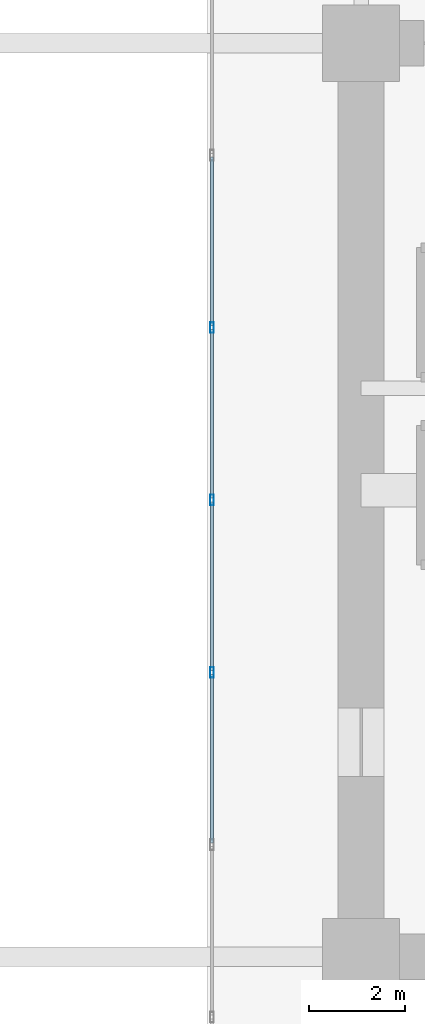
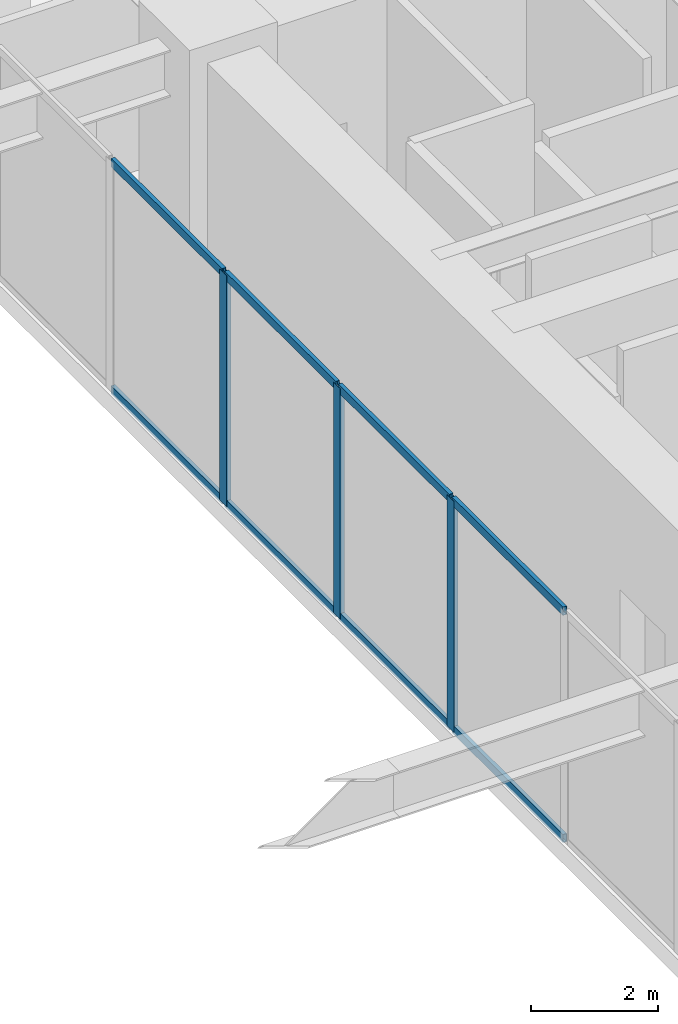
# One storey, part 13 of 39: 11 members, 1 element without a shape of its own.
"""IFC4 building model written with IfcOpenShell, lengths in metres."""

from ifc_helpers import new_model, si_unit, direction, frame, origin, origin_2d, place, context, subcontext, project, spatial, hollow_rectangle, extrude, source, transform, mapped, material, layer, layer_set, material_profile, profile_set, type_object, type_shapes, element, aggregate, save


model = new_model("IFC4")

# Units and contexts
model_context = context("Model", 3, precision=1e-05, world=origin(), true_north=direction((0.0, 1.0)))
body_context = subcontext(model_context, "Body", "Model", "MODEL_VIEW")
ifc_project = project(units=[si_unit("LENGTHUNIT", "METRE"), si_unit("AREAUNIT", "SQUARE_METRE"), si_unit("VOLUMEUNIT", "CUBIC_METRE"), si_unit("PLANEANGLEUNIT", "RADIAN"), si_unit("MASSUNIT", "GRAM", prefix="KILO")], contexts=[model_context])

# Site, building, storey
site_placement = place(None, origin())
site = spatial("IfcSite", under=ifc_project, at=site_placement, CompositionType="ELEMENT")
building_placement = place(site_placement, origin())
building = spatial("IfcBuilding", under=site, at=building_placement, Name="Haelvirn Gate Laboratories", CompositionType="ELEMENT")
storey_placement = place(building_placement, frame((0.0, 0.0, 15.0)))
storey = spatial("IfcBuildingStorey", under=building, at=storey_placement, Name="L04", CompositionType="ELEMENT", Elevation=15.0)

# Curtain wall, members
ifc_material_1 = material(Name="Anodised bronze unitised aluminium & triple low-E glass", Category="aluminium")
ifc_layer = layer(ifc_material_1, 0.18798828125, Name="CW-SYS-1")
ifc_layer_set = layer_set([ifc_layer], Name="Anodised bronze unitised aluminium & triple low-E glass")
curtain_wall_type = type_object("IfcCurtainWallType", Name="CW-SYS-1", PredefinedType="NOTDEFINED", material=ifc_layer_set)
curtain_wall_placement = place(storey_placement, origin())
curtain_wall = element("IfcCurtainWall", 1, at=curtain_wall_placement, inside=storey, type_object=curtain_wall_type, Name="L04 Unitised Curtain Wall CW-L04-P1-E07", PredefinedType="NOTDEFINED")
ifc_material_2 = material(Name="Extruded aluminium 6063-T6 (anodised bronze)", Category="aluminium")
ifc_material_profile_1 = material_profile(ifc_material_2, hollow_rectangle(XDim=0.070068359375, YDim=0.159912109375, WallThickness=0.0048828125, at=origin_2d()), Name="CWT-160x70x5")
ifc_profile_set_1 = profile_set([ifc_material_profile_1], Name="Extruded aluminium 6063-T6 (anodised bronze)")
member_type_1 = type_object("IfcMemberType", Name="CWT-T160", PredefinedType="USERDEFINED", material=ifc_profile_set_1)
shared_shape_1 = source(origin(), body_context, "Body", "SweptSolid", [
    extrude(hollow_rectangle(XDim=0.070068359375, YDim=0.159912109375, WallThickness=0.0048828125, at=origin_2d()), origin(), (0.0, 0.0, 1.0), 3.505859375),
])
member_1_placement = place(storey_placement, frame((49.5, 20.67431640625, 0.034912109375), z_axis=(0.0, -1.0, 0.0), x_axis=(1.0, 0.0, 0.0)))
member_1 = element("IfcMember", 2, at=member_1_placement, type_object=member_type_1, Name="CW1 transom 9.1", ObjectType="TRANSOM", PredefinedType="USERDEFINED", context=body_context, shape_type="MappedRepresentation", body=[
    mapped(shared_shape_1, transform((0.0, 0.0, 0.0), scale=1.0)),
])
member_2_placement = place(storey_placement, frame((49.5, 20.67431640625, 4.4150390625), z_axis=(0.0, -1.0, 0.0), x_axis=(1.0, 0.0, 0.0)))
member_2 = element("IfcMember", 3, at=member_2_placement, type_object=member_type_1, Name="CW1 transom 9.2", ObjectType="TRANSOM", PredefinedType="USERDEFINED", context=body_context, shape_type="MappedRepresentation", body=[
    mapped(shared_shape_1, transform((0.0, 0.0, 0.0), scale=1.0)),
])
shared_shape_2 = source(origin(), body_context, "Body", "SweptSolid", [
    extrude(hollow_rectangle(XDim=0.070068359375, YDim=0.159912109375, WallThickness=0.0048828125, at=origin_2d()), origin(), (0.0, 0.0, 1.0), 3.505615234375),
])
type_shapes(member_type_1, [shared_shape_1, shared_shape_2])
member_3_placement = place(storey_placement, frame((49.5, 31.431396484375, 0.034912109375), z_axis=(0.0, -1.0, 0.0), x_axis=(1.0, 0.0, 0.0)))
member_3 = element("IfcMember", 4, at=member_3_placement, type_object=member_type_1, Name="CW1 transom 6.1", ObjectType="TRANSOM", PredefinedType="USERDEFINED", context=body_context, shape_type="MappedRepresentation", body=[
    mapped(shared_shape_2, transform((0.0, 0.0, 0.0), scale=1.0)),
])
member_4_placement = place(storey_placement, frame((49.5, 31.431396484375, 4.4150390625), z_axis=(0.0, -1.0, 0.0), x_axis=(1.0, 0.0, 0.0)))
member_4 = element("IfcMember", 5, at=member_4_placement, type_object=member_type_1, Name="CW1 transom 6.2", ObjectType="TRANSOM", PredefinedType="USERDEFINED", context=body_context, shape_type="MappedRepresentation", body=[
    mapped(shared_shape_2, transform((0.0, 0.0, 0.0), scale=1.0)),
])
member_5_placement = place(storey_placement, frame((49.5, 27.845703125, 0.034912109375), z_axis=(0.0, -1.0, 0.0), x_axis=(1.0, 0.0, 0.0)))
member_5 = element("IfcMember", 6, at=member_5_placement, type_object=member_type_1, Name="CW1 transom 7.1", ObjectType="TRANSOM", PredefinedType="USERDEFINED", context=body_context, shape_type="MappedRepresentation", body=[
    mapped(shared_shape_2, transform((0.0, 0.0, 0.0), scale=1.0)),
])
member_6_placement = place(storey_placement, frame((49.5, 27.845703125, 4.4150390625), z_axis=(0.0, -1.0, 0.0), x_axis=(1.0, 0.0, 0.0)))
member_6 = element("IfcMember", 7, at=member_6_placement, type_object=member_type_1, Name="CW1 transom 7.2", ObjectType="TRANSOM", PredefinedType="USERDEFINED", context=body_context, shape_type="MappedRepresentation", body=[
    mapped(shared_shape_2, transform((0.0, 0.0, 0.0), scale=1.0)),
])
member_7_placement = place(storey_placement, frame((49.5, 24.260009765625, 0.034912109375), z_axis=(0.0, -1.0, 0.0), x_axis=(1.0, 0.0, 0.0)))
member_7 = element("IfcMember", 8, at=member_7_placement, type_object=member_type_1, Name="CW1 transom 8.1", ObjectType="TRANSOM", PredefinedType="USERDEFINED", context=body_context, shape_type="MappedRepresentation", body=[
    mapped(shared_shape_2, transform((0.0, 0.0, 0.0), scale=1.0)),
])
member_8_placement = place(storey_placement, frame((49.5, 24.260009765625, 4.4150390625), z_axis=(0.0, -1.0, 0.0), x_axis=(1.0, 0.0, 0.0)))
member_8 = element("IfcMember", 9, at=member_8_placement, type_object=member_type_1, Name="CW1 transom 8.2", ObjectType="TRANSOM", PredefinedType="USERDEFINED", context=body_context, shape_type="MappedRepresentation", body=[
    mapped(shared_shape_2, transform((0.0, 0.0, 0.0), scale=1.0)),
])
ifc_material_profile_2 = material_profile(ifc_material_2, hollow_rectangle(XDim=0.080078125, YDim=0.219970703125, WallThickness=0.006103515625, at=origin_2d()), Name="CWM-220x80x6")
ifc_profile_set_2 = profile_set([ifc_material_profile_2], Name="Extruded aluminium 6063-T6 (anodised bronze)")
member_type_2 = type_object("IfcMemberType", Name="CWM-T220", PredefinedType="MULLION", material=ifc_profile_set_2)
shared_shape_3 = source(origin(), body_context, "Body", "SweptSolid", [
    extrude(hollow_rectangle(XDim=0.080078125, YDim=0.219970703125, WallThickness=0.006103515625, at=origin_2d()), origin(), (0.0, 0.0, 1.0), 4.449951171875),
])
type_shapes(member_type_2, [shared_shape_3])
member_9_placement = place(storey_placement, frame((49.5, 27.8857421875, 0.0), z_axis=(0.0, 0.0, 1.0), x_axis=(1.0, 0.0, 0.0)))
member_9 = element("IfcMember", 10, at=member_9_placement, type_object=member_type_2, Name="CW1 mullion 7", PredefinedType="MULLION", context=body_context, shape_type="MappedRepresentation", body=[
    mapped(shared_shape_3, transform((0.0, 0.0, 0.0), scale=1.0)),
])
member_10_placement = place(storey_placement, frame((49.5, 24.300048828125, 0.0), z_axis=(0.0, 0.0, 1.0), x_axis=(1.0, 0.0, 0.0)))
member_10 = element("IfcMember", 11, at=member_10_placement, type_object=member_type_2, Name="CW1 mullion 8", PredefinedType="MULLION", context=body_context, shape_type="MappedRepresentation", body=[
    mapped(shared_shape_3, transform((0.0, 0.0, 0.0), scale=1.0)),
])
member_11_placement = place(storey_placement, frame((49.5, 20.71435546875, 0.0), z_axis=(0.0, 0.0, 1.0), x_axis=(1.0, 0.0, 0.0)))
member_11 = element("IfcMember", 12, at=member_11_placement, type_object=member_type_2, Name="CW1 mullion 9", PredefinedType="MULLION", context=body_context, shape_type="MappedRepresentation", body=[
    mapped(shared_shape_3, transform((0.0, 0.0, 0.0), scale=1.0)),
])
aggregate(curtain_wall, [member_9, member_10, member_11, member_3, member_4, member_5, member_6, member_7, member_8, member_1, member_2])

save(model, "model.ifc")
